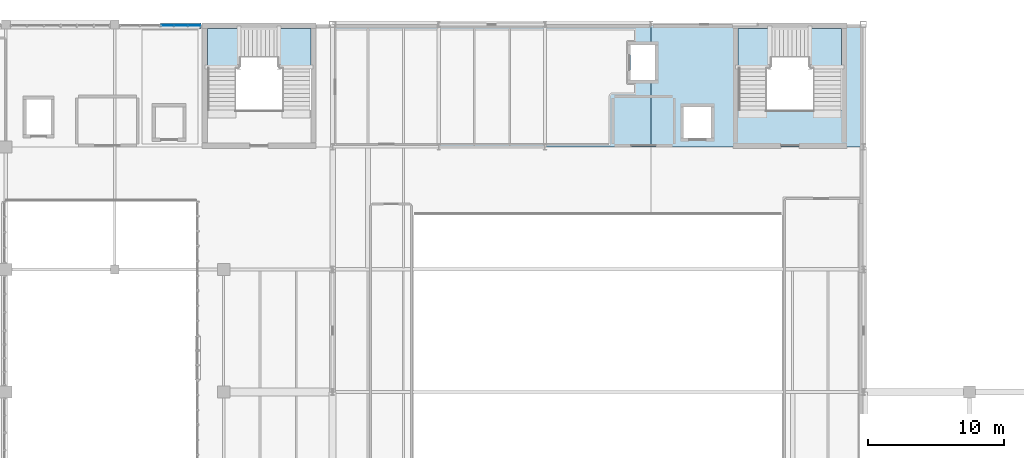
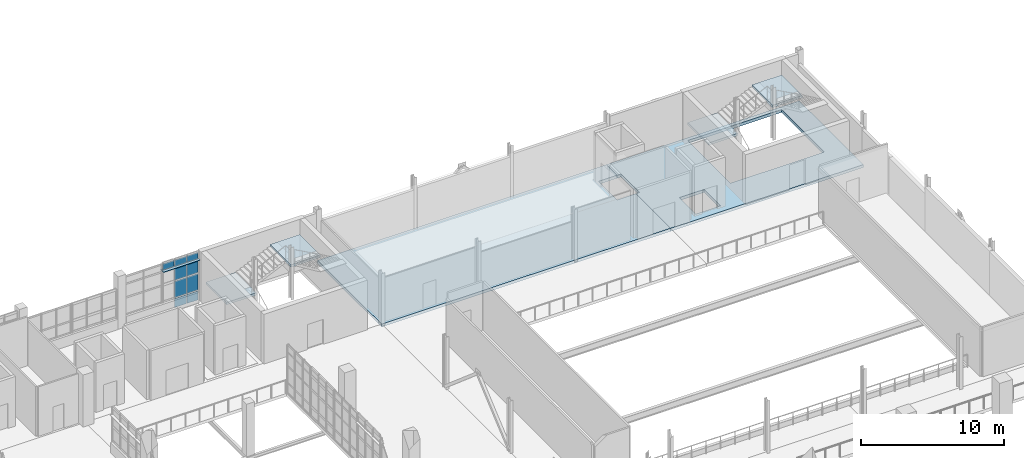
# One storey, part 60 of 85: 10 plates, 6 slabs, 3 elements without a shape of their own.
"""IFC4 building model written with IfcOpenShell, lengths in metres."""

from ifc_helpers import new_model, si_unit, derived_unit, direction, frame, origin, origin_2d, place, context, subcontext, project, spatial, polyline, rectangle, outline, extrude, material, layer, layer_set, type_object, element, aggregate, save


model = new_model("IFC4")

# Units and contexts
model_context = context("Model", 3, precision=1e-05, world=origin(), true_north=direction((0.0, 1.0)))
body_context = subcontext(model_context, "Body", "Model", "MODEL_VIEW")
ifc_project = project(units=[si_unit("LENGTHUNIT", "METRE"), si_unit("AREAUNIT", "SQUARE_METRE"), si_unit("VOLUMEUNIT", "CUBIC_METRE"), si_unit("PLANEANGLEUNIT", "RADIAN"), si_unit("MASSUNIT", "GRAM", prefix="KILO"), derived_unit("THERMALTRANSMITTANCEUNIT", [(si_unit("POWERUNIT", "WATT"), 1), (si_unit("LENGTHUNIT", "METRE"), -2), (si_unit("THERMODYNAMICTEMPERATUREUNIT", "KELVIN"), -1)])], contexts=[model_context])

# Site, building, storey
site_placement = place(None, origin())
site = spatial("IfcSite", under=ifc_project, at=site_placement, CompositionType="ELEMENT")
building_placement = place(site_placement, origin())
building = spatial("IfcBuilding", under=site, at=building_placement, Name="Nallur Shell Playhouse", CompositionType="ELEMENT")
storey_placement = place(building_placement, frame((0.0, 0.0, 19.800048828125)))
storey = spatial("IfcBuildingStorey", under=building, at=storey_placement, Name="L05", CompositionType="ELEMENT", Elevation=19.800048828125)

# Curtain wall, plates
ifc_material_1 = material(Name="Anodised Aluminium Double-Glazed Facade System", Category="aluminium")
ifc_layer_1 = layer(ifc_material_1, 0.176025390625)
ifc_layer_set_1 = layer_set([ifc_layer_1], Name="Anodised Aluminium Double-Glazed Facade System")
curtain_wall_type = type_object("IfcCurtainWallType", Name="CW-UNIT-04", PredefinedType="NOTDEFINED", material=ifc_layer_set_1)
curtain_wall_placement = place(storey_placement, origin())
curtain_wall = element("IfcCurtainWall", 1, at=curtain_wall_placement, inside=storey, type_object=curtain_wall_type, Name="Unitised curtain wall CW-164 (L05)", PredefinedType="NOTDEFINED")
ifc_material_2 = material(Name="Solar-Control Low-E Laminated Insulating Glass", Category="glass")
ifc_layer_2 = layer(ifc_material_2, 0.031982421875)
ifc_layer_set_2 = layer_set([ifc_layer_2], Name="Solar-Control Low-E Laminated Insulating Glass")
plate_type_1 = type_object("IfcPlateType", Name="PT-GLZ-04", PredefinedType="CURTAIN_PANEL", material=ifc_layer_set_2)
plate_1_placement = place(storey_placement, frame((51.8671875, 82.909912109375, 3.612060546875), z_axis=(0.0, 0.0, 1.0), x_axis=(1.0, 0.0, 0.0)))
plate_1 = element("IfcPlate", 2, at=plate_1_placement, type_object=plate_type_1, Name="CW-04 panel 1.4", PredefinedType="CURTAIN_PANEL", context=body_context, shape_type="SweptSolid", body=[
    extrude(rectangle(XDim=0.897216796875, YDim=0.031982421875, at=origin_2d()), origin(), (0.0, 0.0, 1.0), 0.5458984375),
])
plate_2_placement = place(storey_placement, frame((52.84814453125, 82.909912109375, 0.091796875), z_axis=(0.0, 0.0, 1.0), x_axis=(1.0, 0.0, 0.0)))
plate_2 = element("IfcPlate", 3, at=plate_2_placement, type_object=plate_type_1, Name="CW-04 panel 2.1", PredefinedType="CURTAIN_PANEL", context=body_context, shape_type="SweptSolid", body=[
    extrude(rectangle(XDim=0.937255859375, YDim=0.031982421875, at=origin_2d()), origin(), (0.0, 0.0, 1.0), 0.76611328125),
])
plate_3_placement = place(storey_placement, frame((52.84814453125, 82.909912109375, 0.94189453125), z_axis=(0.0, 0.0, 1.0), x_axis=(1.0, 0.0, 0.0)))
plate_3 = element("IfcPlate", 4, at=plate_3_placement, type_object=plate_type_1, Name="CW-04 panel 2.2", PredefinedType="CURTAIN_PANEL", context=body_context, shape_type="SweptSolid", body=[
    extrude(rectangle(XDim=0.937255859375, YDim=0.031982421875, at=origin_2d()), origin(), (0.0, 0.0, 1.0), 1.39599609375),
])
plate_4_placement = place(storey_placement, frame((52.84814453125, 82.909912109375, 2.421875), z_axis=(0.0, 0.0, 1.0), x_axis=(1.0, 0.0, 0.0)))
plate_4 = element("IfcPlate", 5, at=plate_4_placement, type_object=plate_type_1, Name="CW-04 panel 2.3", PredefinedType="CURTAIN_PANEL", context=body_context, shape_type="SweptSolid", body=[
    extrude(rectangle(XDim=0.937255859375, YDim=0.031982421875, at=origin_2d()), origin(), (0.0, 0.0, 1.0), 1.10595703125),
])
plate_5_placement = place(storey_placement, frame((52.84814453125, 82.909912109375, 3.612060546875), z_axis=(0.0, 0.0, 1.0), x_axis=(1.0, 0.0, 0.0)))
plate_5 = element("IfcPlate", 6, at=plate_5_placement, type_object=plate_type_1, Name="CW-04 panel 2.4", PredefinedType="CURTAIN_PANEL", context=body_context, shape_type="SweptSolid", body=[
    extrude(rectangle(XDim=0.937255859375, YDim=0.031982421875, at=origin_2d()), origin(), (0.0, 0.0, 1.0), 0.5458984375),
])
plate_6_placement = place(storey_placement, frame((53.829345703125, 82.909912109375, 0.091796875), z_axis=(0.0, 0.0, 1.0), x_axis=(1.0, 0.0, 0.0)))
plate_6 = element("IfcPlate", 7, at=plate_6_placement, type_object=plate_type_1, Name="CW-04 panel 3.1", PredefinedType="CURTAIN_PANEL", context=body_context, shape_type="SweptSolid", body=[
    extrude(rectangle(XDim=0.897216796875, YDim=0.031982421875, at=origin_2d()), origin(), (0.0, 0.0, 1.0), 0.76611328125),
])
plate_7_placement = place(storey_placement, frame((53.829345703125, 82.909912109375, 0.94189453125), z_axis=(0.0, 0.0, 1.0), x_axis=(1.0, 0.0, 0.0)))
plate_7 = element("IfcPlate", 8, at=plate_7_placement, type_object=plate_type_1, Name="CW-04 panel 3.2", PredefinedType="CURTAIN_PANEL", context=body_context, shape_type="SweptSolid", body=[
    extrude(rectangle(XDim=0.897216796875, YDim=0.031982421875, at=origin_2d()), origin(), (0.0, 0.0, 1.0), 1.39599609375),
])
plate_8_placement = place(storey_placement, frame((53.829345703125, 82.909912109375, 2.421875), z_axis=(0.0, 0.0, 1.0), x_axis=(1.0, 0.0, 0.0)))
plate_8 = element("IfcPlate", 9, at=plate_8_placement, type_object=plate_type_1, Name="CW-04 panel 3.3", PredefinedType="CURTAIN_PANEL", context=body_context, shape_type="SweptSolid", body=[
    extrude(rectangle(XDim=0.897216796875, YDim=0.031982421875, at=origin_2d()), origin(), (0.0, 0.0, 1.0), 1.10595703125),
])
plate_9_placement = place(storey_placement, frame((53.829345703125, 82.909912109375, 3.612060546875), z_axis=(0.0, 0.0, 1.0), x_axis=(1.0, 0.0, 0.0)))
plate_9 = element("IfcPlate", 10, at=plate_9_placement, type_object=plate_type_1, Name="CW-04 panel 3.4", PredefinedType="CURTAIN_PANEL", context=body_context, shape_type="SweptSolid", body=[
    extrude(rectangle(XDim=0.897216796875, YDim=0.031982421875, at=origin_2d()), origin(), (0.0, 0.0, 1.0), 0.5458984375),
])
aggregate(curtain_wall, [plate_1, plate_2, plate_3, plate_4, plate_5, plate_6, plate_7, plate_8, plate_9])

# Plate
ifc_material_3 = material(Name="Terracotta & Gold-Anodised Monsoon Sunshade Blade", Category="masonry")
ifc_layer_3 = layer(ifc_material_3, 0.044921875)
ifc_layer_set_3 = layer_set([ifc_layer_3], Name="Terracotta & Gold-Anodised Monsoon Sunshade Blade")
plate_type_2 = type_object("IfcPlateType", Name="PT-LOUVRE-01", PredefinedType="USERDEFINED", material=ifc_layer_set_3)
plate_10_placement = place(storey_placement, frame((52.848388671875, 82.909912109375, 3.547607421875), z_axis=(0.0, 0.0, 1.0), x_axis=(1.0, 0.0, 0.0)))
element("IfcPlate", 11, at=plate_10_placement, inside=storey, type_object=plate_type_2, Name="Monsoon sunshade louvre blade LV-041", ObjectType="SUNSHADE LOUVRE", PredefinedType="USERDEFINED", context=body_context, shape_type="SweptSolid", body=[
    extrude(rectangle(XDim=2.964111328125, YDim=0.419921875, at=origin_2d()), origin(), (0.0, 0.0, 1.0), 0.044921875),
])

# Stair, slabs
ifc_material_4 = material(Name="Concrete M35", Category="concrete")
stair_type = type_object("IfcStairType", Name="ST-CORE-45", PredefinedType="THREE_QUARTER_TURN_STAIR", material=ifc_material_4)
stair_1_placement = place(storey_placement, origin())
stair_1 = element("IfcStair", 12, at=stair_1_placement, inside=storey, type_object=stair_type, Name="Core JC-3 exit stair ST-03-L05 (L05 to L06)", PredefinedType="THREE_QUARTER_TURN_STAIR")
ifc_layer_4 = layer(ifc_material_4, 0.199951171875)
ifc_layer_set_4 = layer_set([ifc_layer_4], Name="Concrete M35")
slab_type_1 = type_object("IfcSlabType", Name="SL-LANDING-200", PredefinedType="LANDING", material=ifc_layer_set_4)
slab_1_placement = place(storey_placement, frame((0.0, 0.0, 1.346923828125)))
slab_1 = element("IfcSlab", 13, at=slab_1_placement, type_object=slab_type_1, Name="ST-45 landing 1", PredefinedType="LANDING", context=body_context, shape_type="SweptSolid", body=[
    extrude(outline(polyline([(54.800048828125, 79.800048828125), (57.205078125, 79.800048828125), (57.205078125, 82.699951171875), (54.800048828125, 82.699951171875), (54.800048828125, 79.800048828125)])), origin(), (0.0, 0.0, 1.0), 0.199951171875),
])
slab_2_placement = place(storey_placement, frame((0.0, 0.0, 2.753173828125)))
slab_2 = element("IfcSlab", 14, at=slab_2_placement, type_object=slab_type_1, Name="ST-45 landing 2", PredefinedType="LANDING", context=body_context, shape_type="SweptSolid", body=[
    extrude(outline(polyline([(59.9951171875, 79.800048828125), (62.39990234375, 79.800048828125), (62.39990234375, 82.699951171875), (59.9951171875, 82.699951171875), (59.9951171875, 79.800048828125)])), origin(), (0.0, 0.0, 1.0), 0.199951171875),
])
aggregate(stair_1, [slab_1, slab_2])

stair_2_placement = place(storey_placement, origin())
stair_2 = element("IfcStair", 15, at=stair_2_placement, inside=storey, type_object=stair_type, Name="Core JC-4 exit stair ST-04-L05 (L05 to L06)", PredefinedType="THREE_QUARTER_TURN_STAIR")
slab_3_placement = place(storey_placement, frame((0.0, 0.0, 1.346923828125)))
slab_3 = element("IfcSlab", 16, at=slab_3_placement, type_object=slab_type_1, Name="ST-45 landing 1", PredefinedType="LANDING", context=body_context, shape_type="SweptSolid", body=[
    extrude(outline(polyline([(93.800048828125, 79.800048828125), (96.205078125, 79.800048828125), (96.205078125, 82.699951171875), (93.800048828125, 82.699951171875), (93.800048828125, 79.800048828125)])), origin(), (0.0, 0.0, 1.0), 0.199951171875),
])
slab_4_placement = place(storey_placement, frame((0.0, 0.0, 2.753173828125)))
slab_4 = element("IfcSlab", 17, at=slab_4_placement, type_object=slab_type_1, Name="ST-45 landing 2", PredefinedType="LANDING", context=body_context, shape_type="SweptSolid", body=[
    extrude(outline(polyline([(98.9951171875, 79.800048828125), (101.39990234375, 79.800048828125), (101.39990234375, 82.699951171875), (98.9951171875, 82.699951171875), (98.9951171875, 79.800048828125)])), origin(), (0.0, 0.0, 1.0), 0.199951171875),
])
aggregate(stair_2, [slab_3, slab_4])

# Slabs
ifc_material_5 = material(Name="Concrete M30", Category="concrete")
ifc_layer_5 = layer(ifc_material_5, 0.25)
ifc_layer_set_5 = layer_set([ifc_layer_5], Name="Concrete M30")
slab_type_2 = type_object("IfcSlabType", Name="SL-UPPER-250", PredefinedType="FLOOR", material=ifc_layer_set_5)
slab_5_placement = place(storey_placement, frame((0.0, 0.0, -0.25)))
element("IfcSlab", 18, at=slab_5_placement, inside=storey, type_object=slab_type_2, Name="L05 structural floor slab panel 10", PredefinedType="FLOOR", context=body_context, shape_type="SweptSolid", body=[
    extrude(outline(polyline([(87.39990234375, 83.0), (87.39990234375, 81.5), (85.89990234375, 81.5), (85.89990234375, 78.89990234375), (87.39990234375, 78.89990234375), (87.39990234375, 74.0), (64.0, 74.0), (64.0, 83.0), (87.39990234375, 83.0)])), origin(), (0.0, 0.0, 1.0), 0.25),
])
slab_6_placement = place(storey_placement, frame((0.0, 0.0, -0.25)))
element("IfcSlab", 19, at=slab_6_placement, inside=storey, type_object=slab_type_2, Name="L05 structural floor slab panel 14", PredefinedType="FLOOR", context=body_context, shape_type="SweptSolid", body=[
    extrude(outline(polyline([(103.0, 83.0), (103.0, 74.0), (87.39990234375, 74.0), (87.39990234375, 78.89990234375), (87.699951171875, 78.89990234375), (87.699951171875, 81.5), (87.39990234375, 81.5), (87.39990234375, 83.0), (103.0, 83.0)]), holes=[polyline([(89.800048828125, 76.949951171875), (89.800048828125, 74.64990234375), (91.800048828125, 74.64990234375), (91.800048828125, 76.949951171875), (89.800048828125, 76.949951171875)]), polyline([(101.39990234375, 82.699951171875), (93.800048828125, 82.699951171875), (93.800048828125, 76.699951171875), (101.39990234375, 76.699951171875), (101.39990234375, 82.699951171875)])]), origin(), (0.0, 0.0, 1.0), 0.25),
])

save(model, "model.ifc")
